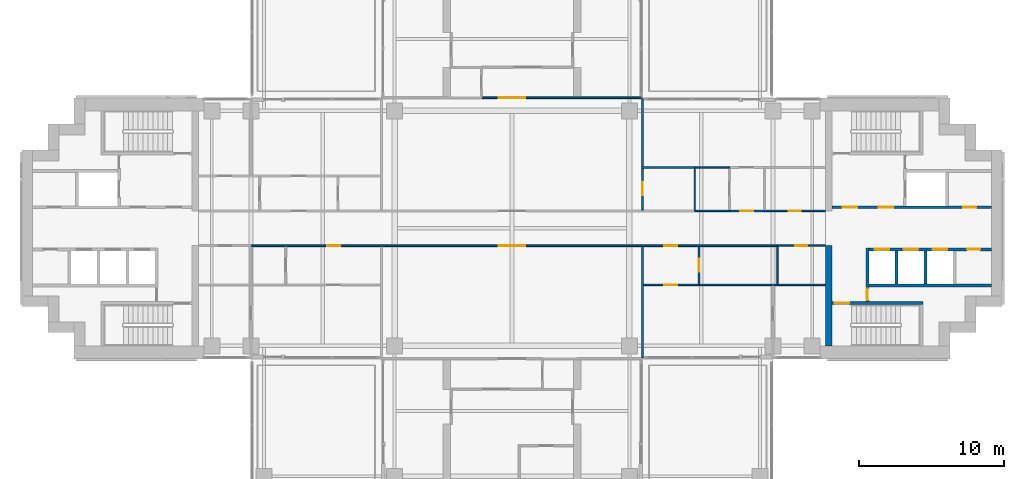
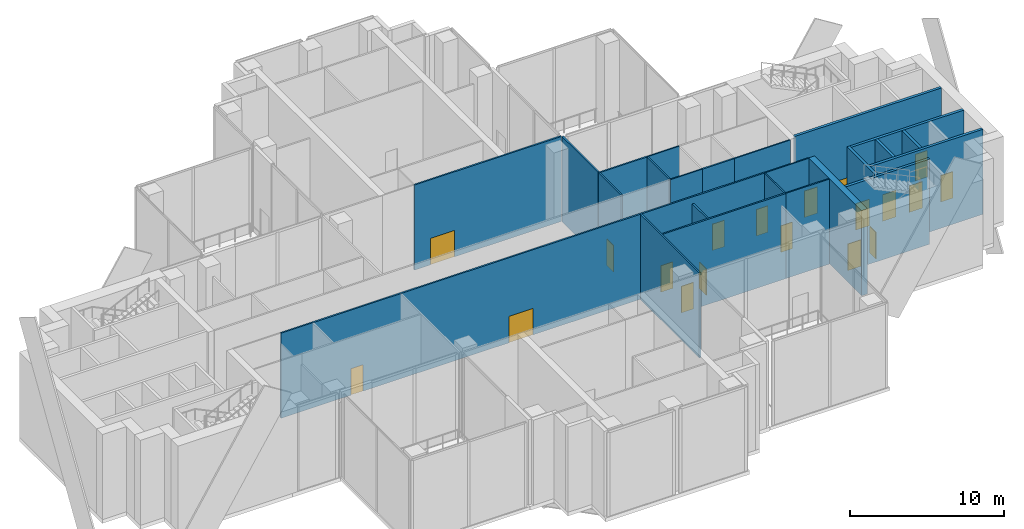
# One storey, part 11 of 17: 23 walls, 19 doors, 19 openings.
"""IFC4 building model written with IfcOpenShell, lengths in metres."""

from ifc_helpers import new_model, si_unit, direction, frame, frame_2d, origin, place, context, subcontext, project, spatial, rectangle, extrude, material, layer, layer_set, type_object, element, fill, save


model = new_model("IFC4")

# Units and contexts
model_context = context("Model", 3, precision=1e-05, world=origin(), true_north=direction((0.0, 1.0)))
body_context = subcontext(model_context, "Body", "Model", "MODEL_VIEW")
ifc_project = project(units=[si_unit("LENGTHUNIT", "METRE"), si_unit("AREAUNIT", "SQUARE_METRE"), si_unit("VOLUMEUNIT", "CUBIC_METRE"), si_unit("PLANEANGLEUNIT", "RADIAN"), si_unit("MASSUNIT", "GRAM", prefix="KILO")], contexts=[model_context])

# Site, building, storey
site_placement = place(None, origin())
site = spatial("IfcSite", under=ifc_project, at=site_placement, CompositionType="ELEMENT")
building_placement = place(site_placement, origin())
building = spatial("IfcBuilding", under=site, at=building_placement, Name="Perihelion Cross Residences", CompositionType="ELEMENT")
storey_placement = place(building_placement, frame((0.0, 0.0, 154.89990234375)))
storey = spatial("IfcBuildingStorey", under=building, at=storey_placement, Name="L38", CompositionType="ELEMENT", Elevation=154.89990234375)

# Wall
ifc_material_1 = material(Name="Concrete C60/75", Category="concrete")
ifc_layer_1 = layer(ifc_material_1, 0.449951171875)
ifc_layer_set_1 = layer_set([ifc_layer_1], Name="Core wall, inner 450")
wall_type_1 = type_object("IfcWallType", Name="Core wall, inner 450", PredefinedType="SHEAR", material=ifc_layer_set_1)
wall_1_placement = place(storey_placement, frame((21.824951171875, -8.10009765625, 0.0), z_axis=(0.0, 0.0, 1.0), x_axis=(0.0, 1.0, 0.0)))
element("IfcWall", 1, at=wall_1_placement, inside=storey, type_object=wall_type_1, Name="East core core wall, inner", PredefinedType="SHEAR", context=body_context, shape_type="SweptSolid", body=[
    extrude(rectangle(XDim=6.900146484375, YDim=0.449951171875, at=frame_2d((3.4501953125, 0.0))), origin(), (0.0, 0.0, 1.0), 6.75),
])

# Wall, opening, door
ifc_material_2 = material(Name="Concrete C50/60", Category="concrete")
ifc_layer_2 = layer(ifc_material_2, 0.199951171875)
ifc_layer_set_2 = layer_set([ifc_layer_2], Name="Lobby wall 200")
wall_type_2 = type_object("IfcWallType", Name="Lobby wall 200", PredefinedType="SOLIDWALL", material=ifc_layer_set_2)
wall_2_placement = place(storey_placement, frame((24.5, -5.050048828125, 0.0), z_axis=(0.0, 0.0, 1.0), x_axis=(0.0, 1.0, 0.0)))
wall_2 = element("IfcWall", 2, at=wall_2_placement, inside=storey, type_object=wall_type_2, Name="East core lobby wall", PredefinedType="SOLIDWALL", context=body_context, shape_type="SweptSolid", body=[
    extrude(rectangle(XDim=3.699951171875, YDim=0.199951171875, at=frame_2d((1.85009765625, 0.0))), origin(), (0.0, 0.0, 1.0), 6.75),
])
opening_1_placement = place(wall_2_placement, frame((0.10009765625, 0.0, 0.0)))
opening_1 = element("IfcOpeningElement", 3, at=opening_1_placement, cuts=wall_2, Name="Opening L38.C08", PredefinedType="OPENING", context=body_context, shape_type="SweptSolid", body=[
    extrude(rectangle(XDim=0.800048828125, YDim=2.10009765625, at=frame_2d((0.39990234375, 1.050048828125))), frame((0.0, 0.10986328125, 0.0), z_axis=(0.0, -1.0, 0.0), x_axis=(1.0, 0.0, 0.0)), (0.0, 0.0, 1.0), 0.219970703125),
])
ifc_material_3 = material(Name="Steel, powder coated", Category="steel")
door_type_1 = type_object("IfcDoorType", Name="Riser door 800", OperationType="SINGLE_SWING_LEFT", PredefinedType="DOOR", material=ifc_material_3)
door_1_placement = place(opening_1_placement, origin())
door_1 = element("IfcDoor", 4, at=door_1_placement, inside=storey, type_object=door_type_1, Name="East core riser door", OperationType="SINGLE_SWING_LEFT", OverallHeight=2.10009765625, OverallWidth=0.800048828125, PredefinedType="DOOR", context=body_context, shape_type="SweptSolid", body=[
    extrude(rectangle(XDim=0.800048828125, YDim=2.10009765625, at=frame_2d((0.39990234375, 1.050048828125))), frame((0.0, 0.02490234375, 0.0), z_axis=(0.0, -1.0, 0.0), x_axis=(1.0, 0.0, 0.0)), (0.0, 0.0, 1.0), 0.050048828125),
])
fill(opening_1, door_1)

# Wall, openings, doors
ifc_material_4 = material(Name="Plasterboard partition")
ifc_layer_3 = layer(ifc_material_4, 0.1201171875)
ifc_layer_set_3 = layer_set([ifc_layer_3], Name="Partition wall 120")
wall_type_3 = type_object("IfcWallType", Name="Partition wall 120", PredefinedType="PARTITIONING", material=ifc_layer_set_3)
wall_3_placement = place(storey_placement, frame((18.300048828125, -1.199951171875, 0.0), z_axis=(0.0, 0.0, 1.0), x_axis=(-1.0, 0.0, 0.0)))
wall_3 = element("IfcWall", 5, at=wall_3_placement, inside=storey, type_object=wall_type_3, Name="Partition L38 W002", PredefinedType="PARTITIONING", context=body_context, shape_type="SweptSolid", body=[
    extrude(rectangle(XDim=36.300048828125, YDim=0.1201171875, at=frame_2d((18.14990234375, 0.0))), origin(), (0.0, 0.0, 1.0), 6.75),
])
opening_2_placement = place(wall_3_placement, frame((17.39990234375, 0.0, 0.0)))
opening_2 = element("IfcOpeningElement", 6, at=opening_2_placement, cuts=wall_3, Name="Opening L38.A02", PredefinedType="OPENING", context=body_context, shape_type="SweptSolid", body=[
    extrude(rectangle(XDim=1.800048828125, YDim=2.10009765625, at=frame_2d((0.89990234375, 1.050048828125))), frame((0.0, 0.070068359375, 0.0), z_axis=(0.0, -1.0, 0.0), x_axis=(1.0, 0.0, 0.0)), (0.0, 0.0, 1.0), 0.14013671875),
])
opening_3_placement = place(wall_3_placement, frame((6.89990234375, 0.0, 0.0)))
opening_3 = element("IfcOpeningElement", 7, at=opening_3_placement, cuts=wall_3, Name="Opening L38.A05", PredefinedType="OPENING", context=body_context, shape_type="SweptSolid", body=[
    extrude(rectangle(XDim=0.89990234375, YDim=2.10009765625, at=frame_2d((0.449951171875, 1.050048828125))), frame((0.0, 0.070068359375, 0.0), z_axis=(0.0, -1.0, 0.0), x_axis=(1.0, 0.0, 0.0)), (0.0, 0.0, 1.0), 0.14013671875),
])
opening_4_placement = place(wall_3_placement, frame((30.14990234375, 0.0, 0.0)))
opening_4 = element("IfcOpeningElement", 8, at=opening_4_placement, cuts=wall_3, Name="Opening L38.A08", PredefinedType="OPENING", context=body_context, shape_type="SweptSolid", body=[
    extrude(rectangle(XDim=0.89990234375, YDim=2.10009765625, at=frame_2d((0.449951171875, 1.050048828125))), frame((0.0, 0.070068359375, 0.0), z_axis=(0.0, -1.0, 0.0), x_axis=(1.0, 0.0, 0.0)), (0.0, 0.0, 1.0), 0.14013671875),
])
ifc_material_5 = material(Name="Glazed timber door leaf", Category="wood")
door_type_2 = type_object("IfcDoorType", Name="Interior double leaf door 1800 x 2100", OperationType="DOUBLE_DOOR_SINGLE_SWING", PredefinedType="DOOR", material=ifc_material_5)
door_2_placement = place(opening_2_placement, origin())
door_2 = element("IfcDoor", 9, at=door_2_placement, inside=storey, type_object=door_type_2, Name="Door L38.A02", OperationType="SINGLE_SWING_LEFT", OverallHeight=2.10009765625, OverallWidth=1.800048828125, PredefinedType="DOOR", context=body_context, shape_type="SweptSolid", body=[
    extrude(rectangle(XDim=1.800048828125, YDim=2.10009765625, at=frame_2d((0.89990234375, 1.050048828125))), frame((0.0, 0.02490234375, 0.0), z_axis=(0.0, -1.0, 0.0), x_axis=(1.0, 0.0, 0.0)), (0.0, 0.0, 1.0), 0.050048828125),
])
fill(opening_2, door_2)
ifc_material_6 = material(Name="Timber door leaf", Category="wood")
door_type_3 = type_object("IfcDoorType", Name="Interior room door 900 x 2100", OperationType="SINGLE_SWING_LEFT", PredefinedType="DOOR", material=ifc_material_6)
door_3_placement = place(opening_3_placement, origin())
door_3 = element("IfcDoor", 10, at=door_3_placement, inside=storey, type_object=door_type_3, Name="Door L38.A05", OperationType="SINGLE_SWING_LEFT", OverallHeight=2.10009765625, OverallWidth=0.89990234375, PredefinedType="DOOR", context=body_context, shape_type="SweptSolid", body=[
    extrude(rectangle(XDim=0.89990234375, YDim=2.10009765625, at=frame_2d((0.449951171875, 1.050048828125))), frame((0.0, 0.02490234375, 0.0), z_axis=(0.0, -1.0, 0.0), x_axis=(1.0, 0.0, 0.0)), (0.0, 0.0, 1.0), 0.050048828125),
])
fill(opening_3, door_3)
door_4_placement = place(opening_4_placement, origin())
door_4 = element("IfcDoor", 11, at=door_4_placement, inside=storey, type_object=door_type_3, Name="Door L38.A08", OperationType="SINGLE_SWING_RIGHT", OverallHeight=2.10009765625, OverallWidth=0.89990234375, PredefinedType="DOOR", context=body_context, shape_type="SweptSolid", body=[
    extrude(rectangle(XDim=0.89990234375, YDim=2.10009765625, at=frame_2d((0.449951171875, 1.050048828125))), frame((0.0, 0.02490234375, 0.0), z_axis=(0.0, -1.0, 0.0), x_axis=(1.0, 0.0, 0.0)), (0.0, 0.0, 1.0), 0.050048828125),
])
fill(opening_4, door_4)

# Wall, opening, door
wall_4_placement = place(storey_placement, frame((15.0, 1.199951171875, 0.0), z_axis=(0.0, 0.0, 1.0), x_axis=(1.0, 0.0, 0.0)))
wall_4 = element("IfcWall", 12, at=wall_4_placement, inside=storey, type_object=wall_type_3, Name="Partition L38 W004", PredefinedType="PARTITIONING", context=body_context, shape_type="SweptSolid", body=[
    extrude(rectangle(XDim=2.39990234375, YDim=0.1201171875, at=frame_2d((1.199951171875, 0.0))), origin(), (0.0, 0.0, 1.0), 6.75),
])
opening_5_placement = place(wall_4_placement, frame((0.75, 0.0, 0.0)))
opening_5 = element("IfcOpeningElement", 13, at=opening_5_placement, cuts=wall_4, Name="Opening L38.A03", PredefinedType="OPENING", context=body_context, shape_type="SweptSolid", body=[
    extrude(rectangle(XDim=0.89990234375, YDim=2.10009765625, at=frame_2d((0.449951171875, 1.050048828125))), frame((0.0, 0.070068359375, 0.0), z_axis=(0.0, -1.0, 0.0), x_axis=(1.0, 0.0, 0.0)), (0.0, 0.0, 1.0), 0.14013671875),
])
door_5_placement = place(opening_5_placement, origin())
door_5 = element("IfcDoor", 14, at=door_5_placement, inside=storey, type_object=door_type_3, Name="Door L38.A03", OperationType="SINGLE_SWING_LEFT", OverallHeight=2.10009765625, OverallWidth=0.89990234375, PredefinedType="DOOR", context=body_context, shape_type="SweptSolid", body=[
    extrude(rectangle(XDim=0.89990234375, YDim=2.10009765625, at=frame_2d((0.449951171875, 1.050048828125))), frame((0.0, 0.02490234375, 0.0), z_axis=(0.0, -1.0, 0.0), x_axis=(1.0, 0.0, 0.0)), (0.0, 0.0, 1.0), 0.050048828125),
])
fill(opening_5, door_5)

wall_5_placement = place(storey_placement, frame((9.0, 8.919921875, 0.0), z_axis=(0.0, 0.0, 1.0), x_axis=(0.0, -1.0, 0.0)))
wall_5 = element("IfcWall", 15, at=wall_5_placement, inside=storey, type_object=wall_type_3, Name="Partition L38 W008", PredefinedType="PARTITIONING", context=body_context, shape_type="SweptSolid", body=[
    extrude(rectangle(XDim=7.659912109375, YDim=0.1201171875, at=frame_2d((3.830078125, 0.0))), origin(), (0.0, 0.0, 1.0), 6.75),
])
opening_6_placement = place(wall_5_placement, frame((5.739990234375, 0.0, 0.0)))
opening_6 = element("IfcOpeningElement", 16, at=opening_6_placement, cuts=wall_5, Name="Opening L38.A14", PredefinedType="OPENING", context=body_context, shape_type="SweptSolid", body=[
    extrude(rectangle(XDim=0.89990234375, YDim=2.10009765625, at=frame_2d((0.449951171875, 1.050048828125))), frame((0.0, 0.070068359375, 0.0), z_axis=(0.0, -1.0, 0.0), x_axis=(1.0, 0.0, 0.0)), (0.0, 0.0, 1.0), 0.14013671875),
])
door_6_placement = place(opening_6_placement, origin())
door_6 = element("IfcDoor", 17, at=door_6_placement, inside=storey, type_object=door_type_3, Name="Door L38.A14", OperationType="SINGLE_SWING_LEFT", OverallHeight=2.10009765625, OverallWidth=0.89990234375, PredefinedType="DOOR", context=body_context, shape_type="SweptSolid", body=[
    extrude(rectangle(XDim=0.89990234375, YDim=2.10009765625, at=frame_2d((0.449951171875, 1.050048828125))), frame((0.0, 0.02490234375, 0.0), z_axis=(0.0, -1.0, 0.0), x_axis=(1.0, 0.0, 0.0)), (0.0, 0.0, 1.0), 0.050048828125),
])
fill(opening_6, door_6)

wall_6_placement = place(storey_placement, frame((-2.10009765625, 9.0, 0.0), z_axis=(0.0, 0.0, 1.0), x_axis=(1.0, 0.0, 0.0)))
wall_6 = element("IfcWall", 18, at=wall_6_placement, inside=storey, type_object=wall_type_3, Name="Partition L38 W010", PredefinedType="PARTITIONING", context=body_context, shape_type="SweptSolid", body=[
    extrude(rectangle(XDim=11.02001953125, YDim=0.1201171875, at=frame_2d((5.510009765625, 0.0))), origin(), (0.0, 0.0, 1.0), 6.75),
])
opening_7_placement = place(wall_6_placement, frame((1.199951171875, 0.0, 0.0)))
opening_7 = element("IfcOpeningElement", 19, at=opening_7_placement, cuts=wall_6, Name="Opening L38.A23", PredefinedType="OPENING", context=body_context, shape_type="SweptSolid", body=[
    extrude(rectangle(XDim=1.800048828125, YDim=2.10009765625, at=frame_2d((0.89990234375, 1.050048828125))), frame((0.0, 0.070068359375, 0.0), z_axis=(0.0, -1.0, 0.0), x_axis=(1.0, 0.0, 0.0)), (0.0, 0.0, 1.0), 0.14013671875),
])
door_7_placement = place(opening_7_placement, origin())
door_7 = element("IfcDoor", 20, at=door_7_placement, inside=storey, type_object=door_type_2, Name="Door L38.A23", OperationType="SINGLE_SWING_LEFT", OverallHeight=2.10009765625, OverallWidth=1.800048828125, PredefinedType="DOOR", context=body_context, shape_type="SweptSolid", body=[
    extrude(rectangle(XDim=1.800048828125, YDim=2.10009765625, at=frame_2d((0.89990234375, 1.050048828125))), frame((0.0, 0.02490234375, 0.0), z_axis=(0.0, -1.0, 0.0), x_axis=(1.0, 0.0, 0.0)), (0.0, 0.0, 1.0), 0.050048828125),
])
fill(opening_7, door_7)

# Walls
wall_7_placement = place(storey_placement, frame((9.0, -1.260009765625, 0.0), z_axis=(0.0, 0.0, 1.0), x_axis=(0.0, -1.0, 0.0)))
element("IfcWall", 21, at=wall_7_placement, inside=storey, type_object=wall_type_3, Name="Partition L38 W013", PredefinedType="PARTITIONING", context=body_context, shape_type="SweptSolid", body=[
    extrude(rectangle(XDim=7.659912109375, YDim=0.1201171875, at=frame_2d((3.830078125, 0.0))), origin(), (0.0, 0.0, 1.0), 6.75),
])
wall_8_placement = place(storey_placement, frame((12.60009765625, 4.199951171875, 0.0), z_axis=(0.0, 0.0, 1.0), x_axis=(-1.0, 0.0, 0.0)))
element("IfcWall", 22, at=wall_8_placement, inside=storey, type_object=wall_type_3, Name="Partition L38 W018", PredefinedType="PARTITIONING", context=body_context, shape_type="SweptSolid", body=[
    extrude(rectangle(XDim=3.66015625, YDim=0.1201171875, at=frame_2d((1.830078125, 0.0))), origin(), (0.0, 0.0, 1.0), 6.75),
])

# Wall, opening, door
wall_9_placement = place(storey_placement, frame((8.93994140625, -3.89990234375, 0.0), z_axis=(0.0, 0.0, 1.0), x_axis=(1.0, 0.0, 0.0)))
wall_9 = element("IfcWall", 23, at=wall_9_placement, inside=storey, type_object=wall_type_3, Name="Partition L38 W026", PredefinedType="PARTITIONING", context=body_context, shape_type="SweptSolid", body=[
    extrude(rectangle(XDim=9.360107421875, YDim=0.1201171875, at=frame_2d((4.68017578125, 0.0))), origin(), (0.0, 0.0, 1.0), 6.75),
])
opening_8_placement = place(wall_9_placement, frame((1.56005859375, 0.0, 0.0)))
opening_8 = element("IfcOpeningElement", 24, at=opening_8_placement, cuts=wall_9, Name="Opening L38.A22", PredefinedType="OPENING", context=body_context, shape_type="SweptSolid", body=[
    extrude(rectangle(XDim=0.89990234375, YDim=2.10009765625, at=frame_2d((0.449951171875, 1.050048828125))), frame((0.0, 0.070068359375, 0.0), z_axis=(0.0, -1.0, 0.0), x_axis=(1.0, 0.0, 0.0)), (0.0, 0.0, 1.0), 0.14013671875),
])
door_8_placement = place(opening_8_placement, origin())
door_8 = element("IfcDoor", 25, at=door_8_placement, inside=storey, type_object=door_type_3, Name="Door L38.A22", OperationType="SINGLE_SWING_RIGHT", OverallHeight=2.10009765625, OverallWidth=0.89990234375, PredefinedType="DOOR", context=body_context, shape_type="SweptSolid", body=[
    extrude(rectangle(XDim=0.89990234375, YDim=2.10009765625, at=frame_2d((0.449951171875, 1.050048828125))), frame((0.0, 0.02490234375, 0.0), z_axis=(0.0, -1.0, 0.0), x_axis=(1.0, 0.0, 0.0)), (0.0, 0.0, 1.0), 0.050048828125),
])
fill(opening_8, door_8)

wall_10_placement = place(storey_placement, frame((12.89990234375, -1.260009765625, 0.0), z_axis=(0.0, 0.0, 1.0), x_axis=(0.0, -1.0, 0.0)))
wall_10 = element("IfcWall", 26, at=wall_10_placement, inside=storey, type_object=wall_type_3, Name="Partition L38 W028", PredefinedType="PARTITIONING", context=body_context, shape_type="SweptSolid", body=[
    extrude(rectangle(XDim=2.580078125, YDim=0.1201171875, at=frame_2d((1.2900390625, 0.0))), origin(), (0.0, 0.0, 1.0), 6.217041015625),
])
opening_9_placement = place(wall_10_placement, frame((0.840087890625, 0.0, 0.0)))
opening_9 = element("IfcOpeningElement", 27, at=opening_9_placement, cuts=wall_10, Name="Opening L38.A19", PredefinedType="OPENING", context=body_context, shape_type="SweptSolid", body=[
    extrude(rectangle(XDim=0.89990234375, YDim=2.10009765625, at=frame_2d((0.449951171875, 1.050048828125))), frame((0.0, 0.070068359375, 0.0), z_axis=(0.0, -1.0, 0.0), x_axis=(1.0, 0.0, 0.0)), (0.0, 0.0, 1.0), 0.14013671875),
])
door_9_placement = place(opening_9_placement, origin())
door_9 = element("IfcDoor", 28, at=door_9_placement, inside=storey, type_object=door_type_3, Name="Door L38.A19", OperationType="SINGLE_SWING_RIGHT", OverallHeight=2.10009765625, OverallWidth=0.89990234375, PredefinedType="DOOR", context=body_context, shape_type="SweptSolid", body=[
    extrude(rectangle(XDim=0.89990234375, YDim=2.10009765625, at=frame_2d((0.449951171875, 1.050048828125))), frame((0.0, 0.02490234375, 0.0), z_axis=(0.0, -1.0, 0.0), x_axis=(1.0, 0.0, 0.0)), (0.0, 0.0, 1.0), 0.050048828125),
])
fill(opening_9, door_9)

# Wall, openings, doors
ifc_material_7 = material(Name="Concrete C50/60", Category="concrete")
ifc_layer_4 = layer(ifc_material_7, 0.199951171875)
ifc_layer_set_4 = layer_set([ifc_layer_4], Name="Shaft wall 200")
wall_type_4 = type_object("IfcWallType", Name="Shaft wall 200", PredefinedType="SOLIDWALL", material=ifc_layer_set_4)
wall_11_placement = place(storey_placement, frame((22.050048828125, 1.449951171875, 0.0), z_axis=(0.0, 0.0, 1.0), x_axis=(1.0, 0.0, 0.0)))
wall_11 = element("IfcWall", 29, at=wall_11_placement, inside=storey, type_object=wall_type_4, Name="East core shaft wall", PredefinedType="SOLIDWALL", context=body_context, shape_type="SweptSolid", body=[
    extrude(rectangle(XDim=11.0, YDim=0.199951171875, at=frame_2d((5.5, 0.0))), origin(), (0.0, 0.0, 1.0), 6.75),
])
opening_10_placement = place(wall_11_placement, frame((0.75, 0.0, 0.0)))
opening_10 = element("IfcOpeningElement", 30, at=opening_10_placement, cuts=wall_11, Name="Opening L38.C07", PredefinedType="OPENING", context=body_context, shape_type="SweptSolid", body=[
    extrude(rectangle(XDim=1.0, YDim=2.10009765625, at=frame_2d((0.5, 1.050048828125))), frame((0.0, 0.10986328125, 0.0), z_axis=(0.0, -1.0, 0.0), x_axis=(1.0, 0.0, 0.0)), (0.0, 0.0, 1.0), 0.219970703125),
])
opening_11_placement = place(wall_11_placement, frame((3.25, 0.0, 0.0)))
opening_11 = element("IfcOpeningElement", 31, at=opening_11_placement, cuts=wall_11, Name="Opening L38.C09", PredefinedType="OPENING", context=body_context, shape_type="SweptSolid", body=[
    extrude(rectangle(XDim=1.0, YDim=2.10009765625, at=frame_2d((0.5, 1.050048828125))), frame((0.0, 0.10986328125, 0.0), z_axis=(0.0, -1.0, 0.0), x_axis=(1.0, 0.0, 0.0)), (0.0, 0.0, 1.0), 0.219970703125),
])
opening_12_placement = place(wall_11_placement, frame((9.074951171875, 0.0, 0.0)))
opening_12 = element("IfcOpeningElement", 32, at=opening_12_placement, cuts=wall_11, Name="Opening L38.C11", PredefinedType="OPENING", context=body_context, shape_type="SweptSolid", body=[
    extrude(rectangle(XDim=0.89990234375, YDim=2.10009765625, at=frame_2d((0.449951171875, 1.050048828125))), frame((0.0, 0.10986328125, 0.0), z_axis=(0.0, -1.0, 0.0), x_axis=(1.0, 0.0, 0.0)), (0.0, 0.0, 1.0), 0.219970703125),
])
ifc_material_8 = material(Name="Steel, powder coated", Category="steel")
door_type_4 = type_object("IfcDoorType", Name="Lobby door 1000", OperationType="SINGLE_SWING_LEFT", PredefinedType="DOOR", material=ifc_material_8)
door_10_placement = place(opening_10_placement, origin())
door_10 = element("IfcDoor", 33, at=door_10_placement, inside=storey, type_object=door_type_4, Name="East core firefighting lobby door", OperationType="SINGLE_SWING_LEFT", OverallHeight=2.10009765625, OverallWidth=1.0, PredefinedType="DOOR", context=body_context, shape_type="SweptSolid", body=[
    extrude(rectangle(XDim=1.0, YDim=2.10009765625, at=frame_2d((0.5, 1.050048828125))), frame((0.0, 0.02490234375, 0.0), z_axis=(0.0, -1.0, 0.0), x_axis=(1.0, 0.0, 0.0)), (0.0, 0.0, 1.0), 0.050048828125),
])
fill(opening_10, door_10)
door_11_placement = place(opening_11_placement, origin())
door_11 = element("IfcDoor", 34, at=door_11_placement, inside=storey, type_object=door_type_4, Name="East core firefighting lobby door", OperationType="SINGLE_SWING_LEFT", OverallHeight=2.10009765625, OverallWidth=1.0, PredefinedType="DOOR", context=body_context, shape_type="SweptSolid", body=[
    extrude(rectangle(XDim=1.0, YDim=2.10009765625, at=frame_2d((0.5, 1.050048828125))), frame((0.0, 0.02490234375, 0.0), z_axis=(0.0, -1.0, 0.0), x_axis=(1.0, 0.0, 0.0)), (0.0, 0.0, 1.0), 0.050048828125),
])
fill(opening_11, door_11)
ifc_material_9 = material(Name="Steel, powder coated", Category="steel")
door_type_5 = type_object("IfcDoorType", Name="Service room door 900", OperationType="SINGLE_SWING_LEFT", PredefinedType="DOOR", material=ifc_material_9)
door_12_placement = place(opening_12_placement, origin())
door_12 = element("IfcDoor", 35, at=door_12_placement, inside=storey, type_object=door_type_5, Name="East core service room door", OperationType="SINGLE_SWING_LEFT", OverallHeight=2.10009765625, OverallWidth=0.89990234375, PredefinedType="DOOR", context=body_context, shape_type="SweptSolid", body=[
    extrude(rectangle(XDim=0.89990234375, YDim=2.10009765625, at=frame_2d((0.449951171875, 1.050048828125))), frame((0.0, 0.02490234375, 0.0), z_axis=(0.0, -1.0, 0.0), x_axis=(1.0, 0.0, 0.0)), (0.0, 0.0, 1.0), 0.050048828125),
])
fill(opening_12, door_12)

wall_12_placement = place(storey_placement, frame((24.60009765625, -1.449951171875, 0.0), z_axis=(0.0, 0.0, 1.0), x_axis=(1.0, 0.0, 0.0)))
wall_12 = element("IfcWall", 36, at=wall_12_placement, inside=storey, type_object=wall_type_4, Name="East core shaft wall", PredefinedType="SOLIDWALL", context=body_context, shape_type="SweptSolid", body=[
    extrude(rectangle(XDim=8.449951171875, YDim=0.199951171875, at=frame_2d((4.22509765625, 0.0))), origin(), (0.0, 0.0, 1.0), 6.75),
])
opening_13_placement = place(wall_12_placement, frame((0.39990234375, 0.0, 0.0)))
opening_13 = element("IfcOpeningElement", 37, at=opening_13_placement, cuts=wall_12, Name="Opening L38.C01", PredefinedType="OPENING", context=body_context, shape_type="SweptSolid", body=[
    extrude(rectangle(XDim=1.0, YDim=2.10009765625, at=frame_2d((0.5, 1.050048828125))), frame((0.0, 0.10986328125, 0.0), z_axis=(0.0, -1.0, 0.0), x_axis=(1.0, 0.0, 0.0)), (0.0, 0.0, 1.0), 0.219970703125),
])
opening_14_placement = place(wall_12_placement, frame((2.39990234375, 0.0, 0.0)))
opening_14 = element("IfcOpeningElement", 38, at=opening_14_placement, cuts=wall_12, Name="Opening L38.C03", PredefinedType="OPENING", context=body_context, shape_type="SweptSolid", body=[
    extrude(rectangle(XDim=1.0, YDim=2.10009765625, at=frame_2d((0.5, 1.050048828125))), frame((0.0, 0.10986328125, 0.0), z_axis=(0.0, -1.0, 0.0), x_axis=(1.0, 0.0, 0.0)), (0.0, 0.0, 1.0), 0.219970703125),
])
opening_15_placement = place(wall_12_placement, frame((4.39990234375, 0.0, 0.0)))
opening_15 = element("IfcOpeningElement", 39, at=opening_15_placement, cuts=wall_12, Name="Opening L38.C04", PredefinedType="OPENING", context=body_context, shape_type="SweptSolid", body=[
    extrude(rectangle(XDim=1.0, YDim=2.10009765625, at=frame_2d((0.5, 1.050048828125))), frame((0.0, 0.10986328125, 0.0), z_axis=(0.0, -1.0, 0.0), x_axis=(1.0, 0.0, 0.0)), (0.0, 0.0, 1.0), 0.219970703125),
])
opening_16_placement = place(wall_12_placement, frame((6.77490234375, 0.0, 0.0)))
opening_16 = element("IfcOpeningElement", 40, at=opening_16_placement, cuts=wall_12, Name="Opening L38.C12", PredefinedType="OPENING", context=body_context, shape_type="SweptSolid", body=[
    extrude(rectangle(XDim=0.89990234375, YDim=2.10009765625, at=frame_2d((0.449951171875, 1.050048828125))), frame((0.0, 0.10986328125, 0.0), z_axis=(0.0, -1.0, 0.0), x_axis=(1.0, 0.0, 0.0)), (0.0, 0.0, 1.0), 0.219970703125),
])
ifc_material_10 = material(Name="Stainless steel", Category="steel")
door_type_6 = type_object("IfcDoorType", Name="Landing door 1000", OperationType="DOUBLE_DOOR_SLIDING", PredefinedType="DOOR", material=ifc_material_10)
door_13_placement = place(opening_13_placement, origin())
door_13 = element("IfcDoor", 41, at=door_13_placement, inside=storey, type_object=door_type_6, Name="Landing door, East core high-rise lift 1", OperationType="DOUBLE_DOOR_SLIDING", OverallHeight=2.10009765625, OverallWidth=1.0, PredefinedType="DOOR", context=body_context, shape_type="SweptSolid", body=[
    extrude(rectangle(XDim=1.0, YDim=2.10009765625, at=frame_2d((0.5, 1.050048828125))), frame((0.0, 0.02490234375, 0.0), z_axis=(0.0, -1.0, 0.0), x_axis=(1.0, 0.0, 0.0)), (0.0, 0.0, 1.0), 0.050048828125),
])
fill(opening_13, door_13)
door_14_placement = place(opening_14_placement, origin())
door_14 = element("IfcDoor", 42, at=door_14_placement, inside=storey, type_object=door_type_6, Name="Landing door, East core high-rise lift 2", OperationType="DOUBLE_DOOR_SLIDING", OverallHeight=2.10009765625, OverallWidth=1.0, PredefinedType="DOOR", context=body_context, shape_type="SweptSolid", body=[
    extrude(rectangle(XDim=1.0, YDim=2.10009765625, at=frame_2d((0.5, 1.050048828125))), frame((0.0, 0.02490234375, 0.0), z_axis=(0.0, -1.0, 0.0), x_axis=(1.0, 0.0, 0.0)), (0.0, 0.0, 1.0), 0.050048828125),
])
fill(opening_14, door_14)
door_15_placement = place(opening_15_placement, origin())
door_15 = element("IfcDoor", 43, at=door_15_placement, inside=storey, type_object=door_type_6, Name="Landing door, East core high-rise lift 3", OperationType="DOUBLE_DOOR_SLIDING", OverallHeight=2.10009765625, OverallWidth=1.0, PredefinedType="DOOR", context=body_context, shape_type="SweptSolid", body=[
    extrude(rectangle(XDim=1.0, YDim=2.10009765625, at=frame_2d((0.5, 1.050048828125))), frame((0.0, 0.02490234375, 0.0), z_axis=(0.0, -1.0, 0.0), x_axis=(1.0, 0.0, 0.0)), (0.0, 0.0, 1.0), 0.050048828125),
])
fill(opening_15, door_15)
door_16_placement = place(opening_16_placement, origin())
door_16 = element("IfcDoor", 44, at=door_16_placement, inside=storey, type_object=door_type_5, Name="East core service room door", OperationType="SINGLE_SWING_LEFT", OverallHeight=2.10009765625, OverallWidth=0.89990234375, PredefinedType="DOOR", context=body_context, shape_type="SweptSolid", body=[
    extrude(rectangle(XDim=0.89990234375, YDim=2.10009765625, at=frame_2d((0.449951171875, 1.050048828125))), frame((0.0, 0.02490234375, 0.0), z_axis=(0.0, -1.0, 0.0), x_axis=(1.0, 0.0, 0.0)), (0.0, 0.0, 1.0), 0.050048828125),
])
fill(opening_16, door_16)

# Walls
wall_13_placement = place(storey_placement, frame((24.60009765625, -3.949951171875, 0.0), z_axis=(0.0, 0.0, 1.0), x_axis=(1.0, 0.0, 0.0)))
element("IfcWall", 45, at=wall_13_placement, inside=storey, type_object=wall_type_4, Name="East core shaft wall", PredefinedType="SOLIDWALL", context=body_context, shape_type="SweptSolid", body=[
    extrude(rectangle(XDim=8.449951171875, YDim=0.199951171875, at=frame_2d((4.22509765625, 0.0))), origin(), (0.0, 0.0, 1.0), 6.75),
])
for number, where, z_axis, x_axis, name in (
    (46, (26.5, -3.85009765625, 0.0), (0.0, 0.0, 1.0), (0.0, 1.0, 0.0), "East core shaft wall"),
    (47, (28.5, -3.85009765625, 0.0), (0.0, 0.0, 1.0), (0.0, 1.0, 0.0), "East core shaft wall"),
):
    element("IfcWall", number, at=place(storey_placement, frame(where, z_axis=z_axis, x_axis=x_axis)), inside=storey, type_object=wall_type_4, Name=name, PredefinedType="SOLIDWALL", context=body_context, shape_type="SweptSolid", body=[
        extrude(rectangle(XDim=2.300048828125, YDim=0.199951171875, at=frame_2d((1.14990234375, 0.0))), origin(), (0.0, 0.0, 1.0), 6.75),
    ])

# Wall, opening, door
ifc_material_11 = material(Name="Concrete C50/60", Category="concrete")
ifc_layer_5 = layer(ifc_material_11, 0.199951171875)
ifc_layer_set_5 = layer_set([ifc_layer_5], Name="Stair wall 200")
wall_type_5 = type_object("IfcWallType", Name="Stair wall 200", PredefinedType="SOLIDWALL", material=ifc_layer_set_5)
wall_14_placement = place(storey_placement, frame((22.050048828125, -5.14990234375, 0.0), z_axis=(0.0, 0.0, 1.0), x_axis=(1.0, 0.0, 0.0)))
wall_14 = element("IfcWall", 48, at=wall_14_placement, inside=storey, type_object=wall_type_5, Name="East core stair wall", PredefinedType="SOLIDWALL", context=body_context, shape_type="SweptSolid", body=[
    extrude(rectangle(XDim=6.300048828125, YDim=0.199951171875, at=frame_2d((3.14990234375, 0.0))), origin(), (0.0, 0.0, 1.0), 6.75),
])
opening_17_placement = place(wall_14_placement, frame((0.199951171875, 0.0, 0.0)))
opening_17 = element("IfcOpeningElement", 49, at=opening_17_placement, cuts=wall_14, Name="Opening L38.C05", PredefinedType="OPENING", context=body_context, shape_type="SweptSolid", body=[
    extrude(rectangle(XDim=1.0, YDim=2.10009765625, at=frame_2d((0.5, 1.050048828125))), frame((0.0, 0.10986328125, 0.0), z_axis=(0.0, -1.0, 0.0), x_axis=(1.0, 0.0, 0.0)), (0.0, 0.0, 1.0), 0.219970703125),
])
ifc_material_12 = material(Name="Steel, powder coated", Category="steel")
door_type_7 = type_object("IfcDoorType", Name="Stair door 1000", OperationType="SINGLE_SWING_LEFT", PredefinedType="DOOR", material=ifc_material_12)
door_17_placement = place(opening_17_placement, origin())
door_17 = element("IfcDoor", 50, at=door_17_placement, inside=storey, type_object=door_type_7, Name="East core stair door", OperationType="SINGLE_SWING_LEFT", OverallHeight=2.10009765625, OverallWidth=1.0, PredefinedType="DOOR", context=body_context, shape_type="SweptSolid", body=[
    extrude(rectangle(XDim=1.0, YDim=2.10009765625, at=frame_2d((0.5, 1.050048828125))), frame((0.0, 0.02490234375, 0.0), z_axis=(0.0, -1.0, 0.0), x_axis=(1.0, 0.0, 0.0)), (0.0, 0.0, 1.0), 0.050048828125),
])
fill(opening_17, door_17)

# Wall
ifc_material_13 = material(Name="Plasterboard partition")
ifc_layer_6 = layer(ifc_material_13, 0.10009765625)
ifc_layer_set_6 = layer_set([ifc_layer_6], Name="Wet room wall 100")
wall_type_6 = type_object("IfcWallType", Name="Wet room wall 100", PredefinedType="PARTITIONING", material=ifc_layer_set_6)
wall_15_placement = place(storey_placement, frame((12.60009765625, 1.199951171875, 0.0), z_axis=(0.0, 0.0, 1.0), x_axis=(1.0, 0.0, 0.0)))
element("IfcWall", 51, at=wall_15_placement, inside=storey, type_object=wall_type_6, Name="Partition L38 W003", PredefinedType="PARTITIONING", context=body_context, shape_type="SweptSolid", body=[
    extrude(rectangle(XDim=2.39990234375, YDim=0.10009765625, at=frame_2d((1.199951171875, 0.0))), origin(), (0.0, 0.0, 1.0), 6.75),
])

# Wall, opening, door
wall_16_placement = place(storey_placement, frame((17.39990234375, 1.199951171875, 0.0), z_axis=(0.0, 0.0, 1.0), x_axis=(1.0, 0.0, 0.0)))
wall_16 = element("IfcWall", 52, at=wall_16_placement, inside=storey, type_object=wall_type_6, Name="Partition L38 W005", PredefinedType="PARTITIONING", context=body_context, shape_type="SweptSolid", body=[
    extrude(rectangle(XDim=4.2001953125, YDim=0.10009765625, at=frame_2d((2.10009765625, 0.0))), origin(), (0.0, 0.0, 1.0), 6.75),
])
opening_18_placement = place(wall_16_placement, frame((1.675048828125, 0.0, 0.0)))
opening_18 = element("IfcOpeningElement", 53, at=opening_18_placement, cuts=wall_16, Name="Opening L38.A04", PredefinedType="OPENING", context=body_context, shape_type="SweptSolid", body=[
    extrude(rectangle(XDim=0.85009765625, YDim=2.10009765625, at=frame_2d((0.425048828125, 1.050048828125))), frame((0.0, 0.06005859375, 0.0), z_axis=(0.0, -1.0, 0.0), x_axis=(1.0, 0.0, 0.0)), (0.0, 0.0, 1.0), 0.1201171875),
])
ifc_material_14 = material(Name="Timber door leaf", Category="wood")
door_type_8 = type_object("IfcDoorType", Name="Interior bathroom door 850 x 2100", OperationType="SINGLE_SWING_LEFT", PredefinedType="DOOR", material=ifc_material_14)
door_18_placement = place(opening_18_placement, origin())
door_18 = element("IfcDoor", 54, at=door_18_placement, inside=storey, type_object=door_type_8, Name="Door L38.A04", OperationType="SINGLE_SWING_LEFT", OverallHeight=2.10009765625, OverallWidth=0.85009765625, PredefinedType="DOOR", context=body_context, shape_type="SweptSolid", body=[
    extrude(rectangle(XDim=0.85009765625, YDim=2.10009765625, at=frame_2d((0.425048828125, 1.050048828125))), frame((0.0, 0.02490234375, 0.0), z_axis=(0.0, -1.0, 0.0), x_axis=(1.0, 0.0, 0.0)), (0.0, 0.0, 1.0), 0.050048828125),
])
fill(opening_18, door_18)

wall_17_placement = place(storey_placement, frame((21.60009765625, -1.199951171875, 0.0), z_axis=(0.0, 0.0, 1.0), x_axis=(-1.0, 0.0, 0.0)))
wall_17 = element("IfcWall", 55, at=wall_17_placement, inside=storey, type_object=wall_type_6, Name="Partition L38 W006", PredefinedType="PARTITIONING", context=body_context, shape_type="SweptSolid", body=[
    extrude(rectangle(XDim=3.300048828125, YDim=0.10009765625, at=frame_2d((1.64990234375, 0.0))), origin(), (0.0, 0.0, 1.0), 6.75),
])
opening_19_placement = place(wall_17_placement, frame((1.22509765625, 0.0, 0.0)))
opening_19 = element("IfcOpeningElement", 56, at=opening_19_placement, cuts=wall_17, Name="Opening L38.A06", PredefinedType="OPENING", context=body_context, shape_type="SweptSolid", body=[
    extrude(rectangle(XDim=0.85009765625, YDim=2.10009765625, at=frame_2d((0.425048828125, 1.050048828125))), frame((0.0, 0.06005859375, 0.0), z_axis=(0.0, -1.0, 0.0), x_axis=(1.0, 0.0, 0.0)), (0.0, 0.0, 1.0), 0.1201171875),
])
door_19_placement = place(opening_19_placement, origin())
door_19 = element("IfcDoor", 57, at=door_19_placement, inside=storey, type_object=door_type_8, Name="Door L38.A06", OperationType="SINGLE_SWING_RIGHT", OverallHeight=2.10009765625, OverallWidth=0.85009765625, PredefinedType="DOOR", context=body_context, shape_type="SweptSolid", body=[
    extrude(rectangle(XDim=0.85009765625, YDim=2.10009765625, at=frame_2d((0.425048828125, 1.050048828125))), frame((0.0, 0.02490234375, 0.0), z_axis=(0.0, -1.0, 0.0), x_axis=(1.0, 0.0, 0.0)), (0.0, 0.0, 1.0), 0.050048828125),
])
fill(opening_19, door_19)

# Walls
wall_18_placement = place(storey_placement, frame((15.0, 4.199951171875, 0.0), z_axis=(0.0, 0.0, 1.0), x_axis=(-1.0, 0.0, 0.0)))
element("IfcWall", 58, at=wall_18_placement, inside=storey, type_object=wall_type_6, Name="Partition L38 W019", PredefinedType="PARTITIONING", context=body_context, shape_type="SweptSolid", body=[
    extrude(rectangle(XDim=2.39990234375, YDim=0.10009765625, at=frame_2d((1.199951171875, 0.0))), origin(), (0.0, 0.0, 1.0), 6.75),
])
wall_19_placement = place(storey_placement, frame((12.60009765625, 4.139892578125, 0.0), z_axis=(0.0, 0.0, 1.0), x_axis=(0.0, -1.0, 0.0)))
element("IfcWall", 59, at=wall_19_placement, inside=storey, type_object=wall_type_6, Name="Partition L38 W022", PredefinedType="PARTITIONING", context=body_context, shape_type="SweptSolid", body=[
    extrude(rectangle(XDim=2.8798828125, YDim=0.10009765625, at=frame_2d((1.43994140625, 0.0))), origin(), (0.0, 0.0, 1.0), 6.75),
])
wall_20_placement = place(storey_placement, frame((18.300048828125, -3.89990234375, 0.0), z_axis=(0.0, 0.0, 1.0), x_axis=(1.0, 0.0, 0.0)))
element("IfcWall", 60, at=wall_20_placement, inside=storey, type_object=wall_type_6, Name="Partition L38 W027", PredefinedType="PARTITIONING", context=body_context, shape_type="SweptSolid", body=[
    extrude(rectangle(XDim=3.300048828125, YDim=0.10009765625, at=frame_2d((1.64990234375, 0.0))), origin(), (0.0, 0.0, 1.0), 6.75),
])
wall_21_placement = place(storey_placement, frame((18.300048828125, -1.260009765625, 0.0), z_axis=(0.0, 0.0, 1.0), x_axis=(0.0, -1.0, 0.0)))
element("IfcWall", 61, at=wall_21_placement, inside=storey, type_object=wall_type_6, Name="Partition L38 W029", PredefinedType="PARTITIONING", context=body_context, shape_type="SweptSolid", body=[
    extrude(rectangle(XDim=2.580078125, YDim=0.10009765625, at=frame_2d((1.2900390625, 0.0))), origin(), (0.0, 0.0, 1.0), 6.75),
])

save(model, "model.ifc")
